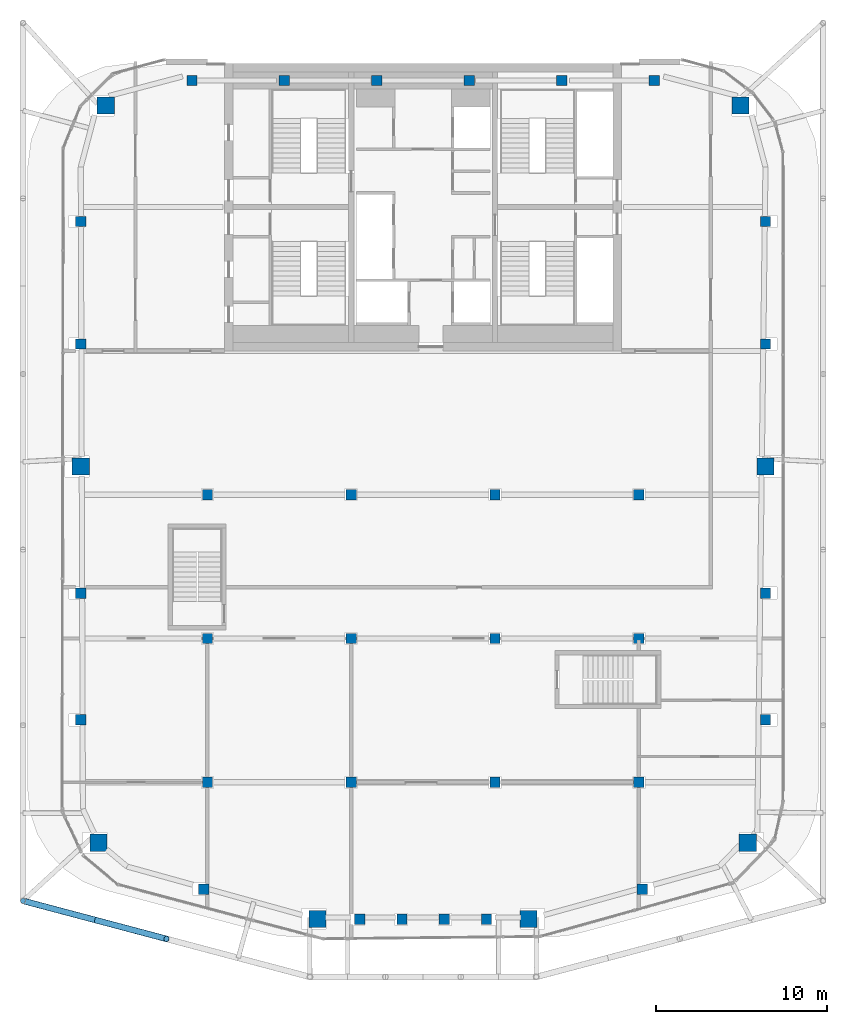
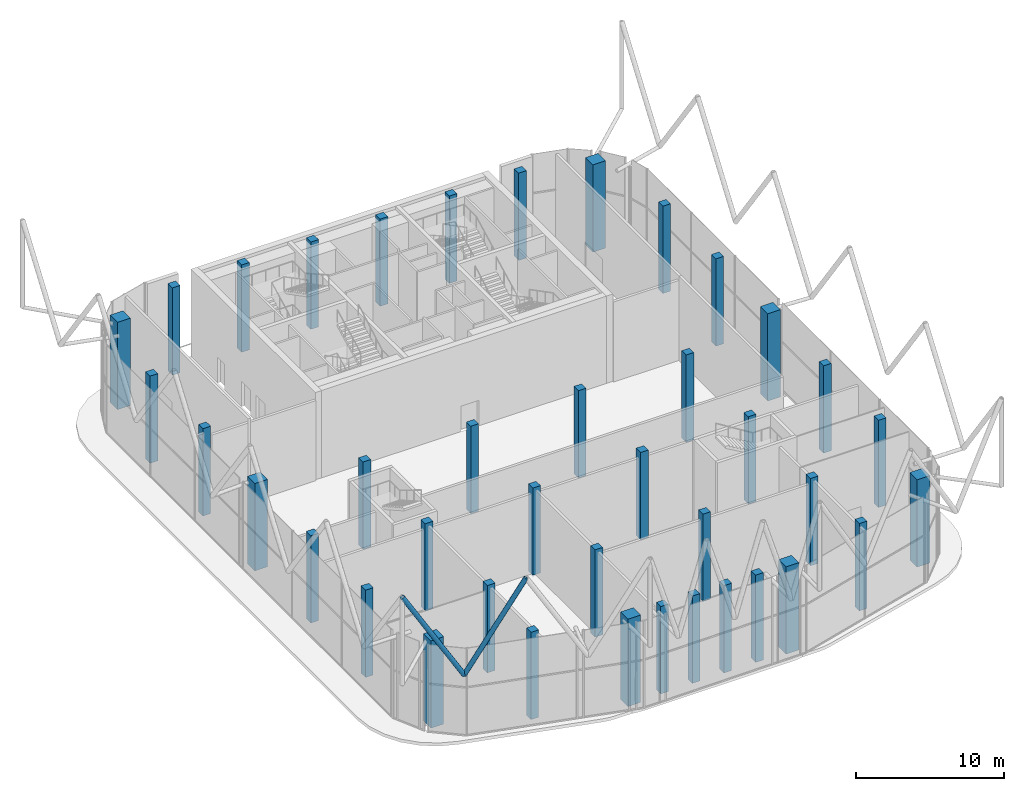
# One storey, part 1 of 25: 40 columns, 2 members.
"""IFC4 building model written with IfcOpenShell, lengths in metres."""

from ifc_helpers import new_model, si_unit, direction, frame, origin, origin_2d, place, context, subcontext, project, spatial, rectangle, hollow_circle, extrude, material, material_profile, profile_set, type_object, element, save


model = new_model("IFC4")

# Units and contexts
model_context = context("Model", 3, precision=1e-05, world=origin(), true_north=direction((0.0, 1.0)))
body_context = subcontext(model_context, "Body", "Model", "MODEL_VIEW")
ifc_project = project(units=[si_unit("LENGTHUNIT", "METRE"), si_unit("AREAUNIT", "SQUARE_METRE"), si_unit("VOLUMEUNIT", "CUBIC_METRE"), si_unit("PLANEANGLEUNIT", "RADIAN"), si_unit("MASSUNIT", "GRAM", prefix="KILO")], contexts=[model_context])

# Site, building, storey
site_placement = place(None, origin())
site = spatial("IfcSite", under=ifc_project, at=site_placement, CompositionType="ELEMENT")
building_placement = place(site_placement, origin())
building = spatial("IfcBuilding", under=site, at=building_placement, Name="Marenta Gate Hotel Tower", CompositionType="ELEMENT")
storey_placement = place(building_placement, frame((0.0, 0.0, 281.300048828125)))
storey = spatial("IfcBuildingStorey", under=building, at=storey_placement, Name="L65", CompositionType="ELEMENT", Elevation=281.300048828125)

# Columns
ifc_material_1 = material(Name="Concrete C50", Category="concrete")
ifc_material_profile_1 = material_profile(ifc_material_1, rectangle(XDim=0.60009765625, YDim=0.60009765625, at=origin_2d()), Name="600 x 600")
ifc_profile_set_1 = profile_set([ifc_material_profile_1], Name="Concrete C50")
column_type_1 = type_object("IfcColumnType", Name="Edge column 600 x 600 C50", PredefinedType="COLUMN", material=ifc_profile_set_1)
for number, where, z_axis, x_axis, name in (
    (1, (-20.0, -21.552001953125, 0.0), (0.0, 0.0, 1.0), (1.0, 0.0, 0.0), "L65-EC-SW-W-1"),
    (2, (-20.0, -14.15087890625, 0.0), (0.0, 0.0, 1.0), (1.0, 0.0, 0.0), "L65-EC-SW-W-2"),
    (3, (-20.0, 0.4033203125, 0.0), (0.0, 0.0, 1.0), (1.0, 0.0, 0.0), "L65-EC-W-NW-1"),
    (4, (-20.0, 7.556396484375, 0.0), (0.0, 0.0, 1.0), (1.0, 0.0, 0.0), "L65-EC-W-NW-2"),
    (5, (-13.5068359375, 15.800048828125, 0.0), (0.0, 0.0, 1.0), (1.0, 0.0, 0.0), "L65-EC-NW-NE-1"),
    (6, (-8.10400390625, 15.800048828125, 0.0), (0.0, 0.0, 1.0), (1.0, 0.0, 0.0), "L65-EC-NW-NE-2"),
    (7, (-2.701416015625, 15.800048828125, 0.0), (0.0, 0.0, 1.0), (1.0, 0.0, 0.0), "L65-EC-NW-NE-3"),
    (8, (2.701416015625, 15.800048828125, 0.0), (0.0, 0.0, 1.0), (1.0, 0.0, 0.0), "L65-EC-NW-NE-4"),
    (9, (8.10400390625, 15.800048828125, 0.0), (0.0, 0.0, 1.0), (1.0, 0.0, 0.0), "L65-EC-NW-NE-5"),
    (10, (13.5068359375, 15.800048828125, 0.0), (0.0, 0.0, 1.0), (1.0, 0.0, 0.0), "L65-EC-NW-NE-6"),
    (11, (20.0, 7.556396484375, 0.0), (0.0, 0.0, 1.0), (1.0, 0.0, 0.0), "L65-EC-NE-E-1"),
    (12, (20.0, 0.4033203125, 0.0), (0.0, 0.0, 1.0), (1.0, 0.0, 0.0), "L65-EC-NE-E-2"),
    (13, (20.0, -14.15087890625, 0.0), (0.0, 0.0, 1.0), (1.0, 0.0, 0.0), "L65-EC-E-SE-1"),
    (14, (20.0, -21.552001953125, 0.0), (0.0, 0.0, 1.0), (1.0, 0.0, 0.0), "L65-EC-E-SE-2"),
    (15, (12.806884765625, -31.439208984375, 0.0), (0.0, 0.0, 1.0), (1.0, 0.0, 0.0), "L65-EC-SE-SKE-1"),
    (16, (3.7001953125, -33.199951171875, 0.0), (0.0, 0.0, 1.0), (1.0, 0.0, 0.0), "L65-EC-SKE-SKW-1"),
    (17, (1.2333984375, -33.199951171875, 0.0), (0.0, 0.0, 1.0), (1.0, 0.0, 0.0), "L65-EC-SKE-SKW-2"),
    (18, (-1.2333984375, -33.199951171875, 0.0), (0.0, 0.0, 1.0), (1.0, 0.0, 0.0), "L65-EC-SKE-SKW-3"),
    (19, (-3.7001953125, -33.199951171875, 0.0), (0.0, 0.0, 1.0), (1.0, 0.0, 0.0), "L65-EC-SKE-SKW-4"),
    (20, (-12.806884765625, -31.439208984375, 0.0), (0.0, 0.0, 1.0), (1.0, 0.0, 0.0), "L65-EC-SKW-SW-1"),
):
    element("IfcColumn", number, at=place(storey_placement, frame(where, z_axis=z_axis, x_axis=x_axis)), inside=storey, type_object=column_type_1, Name=name, PredefinedType="COLUMN", context=body_context, shape_type="SweptSolid", body=[
        extrude(rectangle(XDim=0.60009765625, YDim=0.60009765625, at=origin_2d()), origin(), (0.0, 0.0, 1.0), 7.199951171875),
    ])
ifc_material_2 = material(Name="Concrete C50", Category="concrete")
ifc_material_profile_2 = material_profile(ifc_material_2, rectangle(XDim=0.60009765625, YDim=0.60009765625, at=origin_2d()), Name="600 x 600")
ifc_profile_set_2 = profile_set([ifc_material_profile_2], Name="Concrete C50")
column_type_2 = type_object("IfcColumnType", Name="Interior column 600 x 600 C50", PredefinedType="COLUMN", material=ifc_profile_set_2)
for number, where, z_axis, x_axis, name in (
    (21, (-12.60009765625, -25.199951171875, 0.0), (0.0, 0.0, 1.0), (1.0, 0.0, 0.0), "L65-IC-5C"),
    (22, (-12.60009765625, -16.800048828125, 0.0), (0.0, 0.0, 1.0), (1.0, 0.0, 0.0), "L65-IC-5D"),
    (23, (-12.60009765625, -8.39990234375, 0.0), (0.0, 0.0, 1.0), (1.0, 0.0, 0.0), "L65-IC-5E"),
    (24, (-4.199951171875, -25.199951171875, 0.0), (0.0, 0.0, 1.0), (1.0, 0.0, 0.0), "L65-IC-6C"),
    (25, (-4.199951171875, -16.800048828125, 0.0), (0.0, 0.0, 1.0), (1.0, 0.0, 0.0), "L65-IC-6D"),
    (26, (-4.199951171875, -8.39990234375, 0.0), (0.0, 0.0, 1.0), (1.0, 0.0, 0.0), "L65-IC-6E"),
    (27, (4.199951171875, -25.199951171875, 0.0), (0.0, 0.0, 1.0), (1.0, 0.0, 0.0), "L65-IC-7C"),
    (28, (4.199951171875, -16.800048828125, 0.0), (0.0, 0.0, 1.0), (1.0, 0.0, 0.0), "L65-IC-7D"),
    (29, (4.199951171875, -8.39990234375, 0.0), (0.0, 0.0, 1.0), (1.0, 0.0, 0.0), "L65-IC-7E"),
    (30, (12.60009765625, -25.199951171875, 0.0), (0.0, 0.0, 1.0), (1.0, 0.0, 0.0), "L65-IC-8C"),
    (31, (12.60009765625, -16.800048828125, 0.0), (0.0, 0.0, 1.0), (1.0, 0.0, 0.0), "L65-IC-8D"),
    (32, (12.60009765625, -8.39990234375, 0.0), (0.0, 0.0, 1.0), (1.0, 0.0, 0.0), "L65-IC-8E"),
):
    element("IfcColumn", number, at=place(storey_placement, frame(where, z_axis=z_axis, x_axis=x_axis)), inside=storey, type_object=column_type_2, Name=name, PredefinedType="COLUMN", context=body_context, shape_type="SweptSolid", body=[
        extrude(rectangle(XDim=0.60009765625, YDim=0.60009765625, at=origin_2d()), origin(), (0.0, 0.0, 1.0), 7.199951171875),
    ])
ifc_material_3 = material(Name="Concrete C50", Category="concrete")
ifc_material_profile_3 = material_profile(ifc_material_3, rectangle(XDim=1.0, YDim=1.0, at=origin_2d()), Name="1000 x 1000")
ifc_profile_set_3 = profile_set([ifc_material_profile_3], Name="Concrete C50")
column_type_3 = type_object("IfcColumnType", Name="Mega column 1000 x 1000 C50", PredefinedType="COLUMN", material=ifc_profile_set_3)
for number, where, z_axis, x_axis, name in (
    (33, (-18.962890625, -28.73291015625, 0.0), (0.0, 0.0, 1.0), (1.0, 0.0, 0.0), "L65-MC-SW"),
    (34, (-6.166259765625, -33.1748046875, 0.0), (0.0, 0.0, 1.0), (1.0, 0.0, 0.0), "L65-MC-SKW"),
    (35, (6.166259765625, -33.1748046875, 0.0), (0.0, 0.0, 1.0), (1.0, 0.0, 0.0), "L65-MC-SKE"),
    (36, (18.962890625, -28.73291015625, 0.0), (0.0, 0.0, 1.0), (1.0, 0.0, 0.0), "L65-MC-SE"),
    (37, (20.0, -6.75, 0.0), (0.0, 0.0, 1.0), (1.0, 0.0, 0.0), "L65-MC-E"),
    (38, (18.535400390625, 14.33544921875, 0.0), (0.0, 0.0, 1.0), (1.0, 0.0, 0.0), "L65-MC-NE"),
    (39, (-18.535400390625, 14.33544921875, 0.0), (0.0, 0.0, 1.0), (1.0, 0.0, 0.0), "L65-MC-NW"),
    (40, (-20.0, -6.75, 0.0), (0.0, 0.0, 1.0), (1.0, 0.0, 0.0), "L65-MC-W"),
):
    element("IfcColumn", number, at=place(storey_placement, frame(where, z_axis=z_axis, x_axis=x_axis)), inside=storey, type_object=column_type_3, Name=name, PredefinedType="COLUMN", context=body_context, shape_type="SweptSolid", body=[
        extrude(rectangle(XDim=1.0, YDim=1.0, at=origin_2d()), origin(), (0.0, 0.0, 1.0), 7.199951171875),
    ])

# Members
ifc_material_4 = material(Name="Steel S355J2W", Category="steel")
ifc_material_profile_4 = material_profile(ifc_material_4, hollow_circle(Radius=0.177734375, WallThickness=0.01611328125, at=origin_2d()), Name="CHS 355.6x16")
ifc_profile_set_4 = profile_set([ifc_material_profile_4], Name="Steel S355J2W")
member_type = type_object("IfcMemberType", Name="Diagrid diagonal C CHS 355.6x16", PredefinedType="BRACE", material=ifc_profile_set_4)
member_1_placement = place(storey_placement, frame((-19.1796875, -33.23486328125, 6.739990234375), z_axis=(0.498573463173, -0.132290599038, 0.856693468649), x_axis=(0.256463689668, 0.966553866001, 0.0)))
element("IfcMember", 41, at=member_1_placement, inside=storey, type_object=member_type, Name="L65-DG-23", PredefinedType="BRACE", context=body_context, shape_type="SweptSolid", body=[
    extrude(hollow_circle(Radius=0.177734375, WallThickness=0.01611328125, at=origin_2d()), origin(), (0.0, 0.0, 1.0), 8.404296875),
])
member_2_placement = place(storey_placement, frame((-19.1796875, -33.23486328125, 6.739990234375), z_axis=(-0.498597206891, 0.132260142331, 0.856684352624), x_axis=(-0.256397119721, -0.966571527099, 0.0)))
element("IfcMember", 42, at=member_2_placement, inside=storey, type_object=member_type, Name="L65-DG-24", PredefinedType="BRACE", context=body_context, shape_type="SweptSolid", body=[
    extrude(hollow_circle(Radius=0.177734375, WallThickness=0.01611328125, at=origin_2d()), origin(), (0.0, 0.0, 1.0), 8.404541015625),
])

save(model, "model.ifc")
